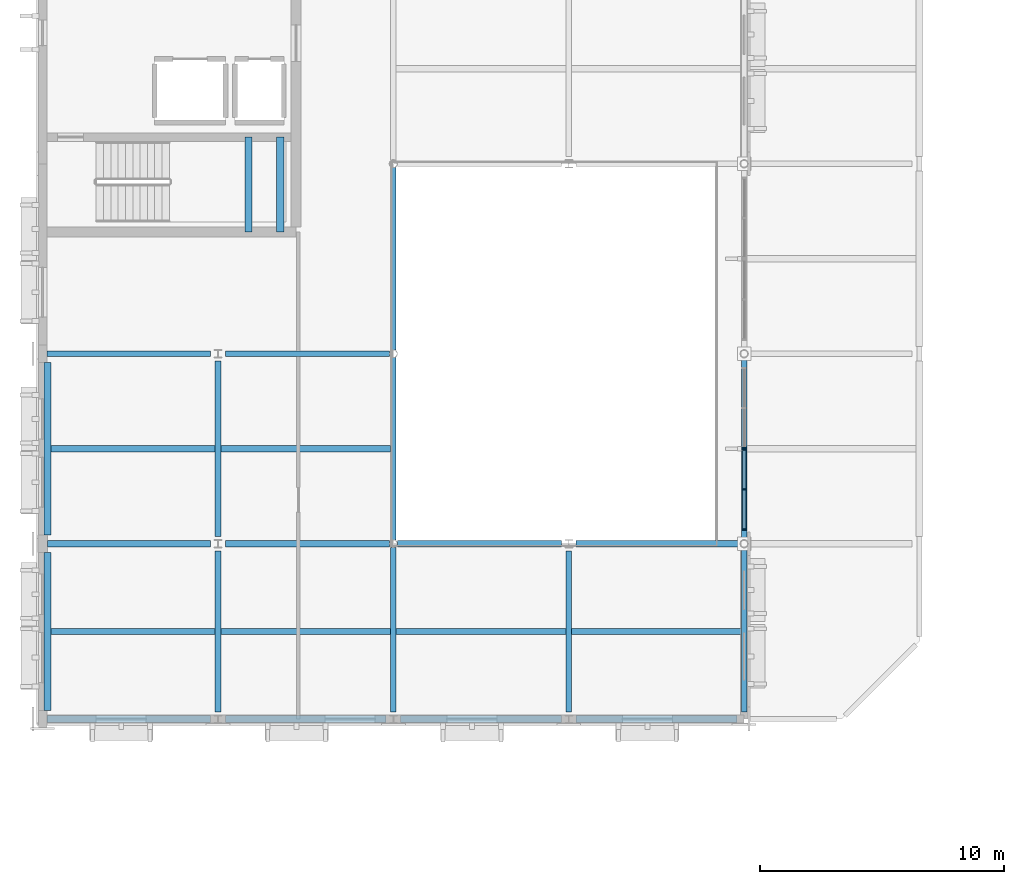
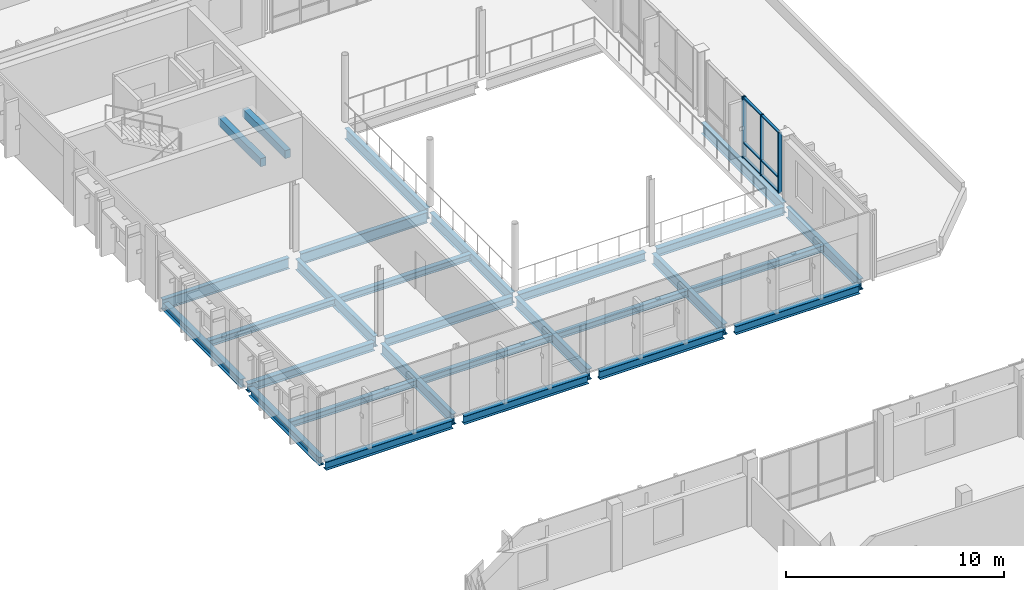
# One storey, part 12 of 73: 28 beams, 10 members, 2 elements without a shape of their own.
"""IFC4 building model written with IfcOpenShell, lengths in metres."""

from ifc_helpers import new_model, si_unit, direction, frame, origin, origin_2d, place, context, subcontext, project, spatial, rectangle, i_section, extrude, material, material_profile, profile_set, type_object, element, aggregate, save


model = new_model("IFC4")

# Units and contexts
model_context = context("Model", 3, precision=1e-05, world=origin(), true_north=direction((0.0, 1.0)))
body_context = subcontext(model_context, "Body", "Model", "MODEL_VIEW")
ifc_project = project(units=[si_unit("LENGTHUNIT", "METRE"), si_unit("AREAUNIT", "SQUARE_METRE"), si_unit("VOLUMEUNIT", "CUBIC_METRE"), si_unit("PLANEANGLEUNIT", "RADIAN"), si_unit("MASSUNIT", "GRAM", prefix="KILO")], contexts=[model_context])

# Site, building, storey
site_placement = place(None, origin())
site = spatial("IfcSite", under=ifc_project, at=site_placement, CompositionType="ELEMENT")
building_placement = place(site_placement, origin())
building = spatial("IfcBuilding", under=site, at=building_placement, Name="Vervanel Yard Central Library", CompositionType="ELEMENT")
storey_placement = place(building_placement, frame((0.0, 0.0, 12.780029296875)))
storey = spatial("IfcBuildingStorey", under=building, at=storey_placement, Name="L03", CompositionType="ELEMENT", Elevation=12.780029296875)

# Beams
ifc_material_1 = material(Name="Concrete C40/50", Category="concrete")
ifc_material_profile_1 = material_profile(ifc_material_1, rectangle(XDim=0.300048828125, YDim=0.449951171875, at=origin_2d()), Name="RC 300x450", Category="concrete")
ifc_profile_set_1 = profile_set([ifc_material_profile_1], Name="Concrete C40/50")
beam_type_1 = type_object("IfcBeamType", Name="Concrete Opening Lintel 300x450", PredefinedType="LINTEL", material=ifc_profile_set_1)
for number, where, z_axis, x_axis, name in (
    (1, (8.449951171875, 56.0, 1.445068359375), (0.0, 1.0, 0.0), (-1.0, 0.0, 0.0), "L03 CORE-C Stair Landing Beam 27"),
    (2, (9.75, 56.0, 1.445068359375), (0.0, 1.0, 0.0), (-1.0, 0.0, 0.0), "L03 CORE-C Stair Landing Beam 28"),
):
    element("IfcBeam", number, at=place(storey_placement, frame(where, z_axis=z_axis, x_axis=x_axis)), inside=storey, type_object=beam_type_1, Name=name, PredefinedType="LINTEL", context=body_context, shape_type="SweptSolid", body=[
        extrude(rectangle(XDim=0.300048828125, YDim=0.449951171875, at=origin_2d()), origin(), (0.0, 0.0, 1.0), 3.89501953125),
    ])

# Curtain wall, members
ifc_material_2 = material(Name="Thermally broken anodized aluminium 6063-T6", Category="aluminium")
curtain_wall_type = type_object("IfcCurtainWallType", Name="Atrium Courtyard Curtain Wall", PredefinedType="NOTDEFINED", material=ifc_material_2)
curtain_wall_1_placement = place(storey_placement, origin())
curtain_wall_1 = element("IfcCurtainWall", 3, at=curtain_wall_1_placement, inside=storey, type_object=curtain_wall_type, Name="L03 Atrium Courtyard Curtain Wall CWR-L03-038", PredefinedType="NOTDEFINED")
ifc_material_profile_2 = material_profile(ifc_material_2, rectangle(XDim=0.06494140625, YDim=0.18994140625, at=origin_2d()), Name="ALU 65x190", Category="aluminium")
ifc_profile_set_2 = profile_set([ifc_material_profile_2], Name="Thermally broken anodized aluminium 6063-T6")
member_type_1 = type_object("IfcMemberType", Name="Curtain Wall Primary Mullion 65x190", PredefinedType="MULLION", material=ifc_profile_set_2)
member_1_placement = place(storey_placement, frame((28.800048828125, 43.79248046875, 0.0), z_axis=(0.0, 0.0, 1.0), x_axis=(0.0, 1.0, 0.0)))
member_1 = element("IfcMember", 4, at=member_1_placement, type_object=member_type_1, Name="CWR-L03-038 Mullion 1", PredefinedType="MULLION", context=body_context, shape_type="SweptSolid", body=[
    extrude(rectangle(XDim=0.06494140625, YDim=0.18994140625, at=origin_2d()), origin(), (0.0, 0.0, 1.0), 3.39990234375),
])
member_2_placement = place(storey_placement, frame((28.800048828125, 45.429931640625, 0.0), z_axis=(0.0, 0.0, 1.0), x_axis=(0.0, 1.0, 0.0)))
member_2 = element("IfcMember", 5, at=member_2_placement, type_object=member_type_1, Name="CWR-L03-038 Mullion 2", PredefinedType="MULLION", context=body_context, shape_type="SweptSolid", body=[
    extrude(rectangle(XDim=0.06494140625, YDim=0.18994140625, at=origin_2d()), origin(), (0.0, 0.0, 1.0), 3.39990234375),
])
member_3_placement = place(storey_placement, frame((28.800048828125, 47.0673828125, 0.0), z_axis=(0.0, 0.0, 1.0), x_axis=(0.0, 1.0, 0.0)))
member_3 = element("IfcMember", 6, at=member_3_placement, type_object=member_type_1, Name="CWR-L03-038 Mullion 3", PredefinedType="MULLION", context=body_context, shape_type="SweptSolid", body=[
    extrude(rectangle(XDim=0.06494140625, YDim=0.18994140625, at=origin_2d()), origin(), (0.0, 0.0, 1.0), 3.39990234375),
])

# Curtain wall, member
curtain_wall_2_placement = place(storey_placement, origin())
curtain_wall_2 = element("IfcCurtainWall", 7, at=curtain_wall_2_placement, inside=storey, type_object=curtain_wall_type, Name="L03 Atrium Courtyard Curtain Wall CWR-L03-039", PredefinedType="NOTDEFINED")
member_4_placement = place(storey_placement, frame((28.800048828125, 47.132568359375, 0.0), z_axis=(0.0, 0.0, 1.0), x_axis=(0.0, 1.0, 0.0)))
member_4 = element("IfcMember", 8, at=member_4_placement, type_object=member_type_1, Name="CWR-L03-039 Mullion 1", PredefinedType="MULLION", context=body_context, shape_type="SweptSolid", body=[
    extrude(rectangle(XDim=0.06494140625, YDim=0.18994140625, at=origin_2d()), origin(), (0.0, 0.0, 1.0), 3.39990234375),
])
aggregate(curtain_wall_2, [member_4])

# Member
ifc_material_profile_3 = material_profile(ifc_material_2, rectangle(XDim=0.06494140625, YDim=0.139892578125, at=origin_2d()), Name="ALU 65x140", Category="aluminium")
ifc_profile_set_3 = profile_set([ifc_material_profile_3], Name="Thermally broken anodized aluminium 6063-T6")
member_type_2 = type_object("IfcMemberType", Name="Curtain Wall Transom 65x140", PredefinedType="NOTDEFINED", material=ifc_profile_set_3)
member_5_placement = place(storey_placement, frame((28.800048828125, 43.824951171875, 0.032470703125), z_axis=(0.0, 1.0, 0.0), x_axis=(0.0, 0.0, 1.0)))
member_5 = element("IfcMember", 9, at=member_5_placement, type_object=member_type_2, Name="CWR-L03-038 Transom B1-T1", ObjectType="TRANSOM", PredefinedType="USERDEFINED", context=body_context, shape_type="SweptSolid", body=[
    extrude(rectangle(XDim=0.06494140625, YDim=0.139892578125, at=origin_2d()), origin(), (0.0, 0.0, 1.0), 1.572509765625),
])

member_6_placement = place(storey_placement, frame((28.800048828125, 43.824951171875, 0.849853515625), z_axis=(0.0, 1.0, 0.0), x_axis=(0.0, 0.0, 1.0)))
member_6 = element("IfcMember", 10, at=member_6_placement, type_object=member_type_2, Name="CWR-L03-038 Transom B1-T2", ObjectType="TRANSOM", PredefinedType="USERDEFINED", context=body_context, shape_type="SweptSolid", body=[
    extrude(rectangle(XDim=0.06494140625, YDim=0.139892578125, at=origin_2d()), origin(), (0.0, 0.0, 1.0), 1.572509765625),
])

member_7_placement = place(storey_placement, frame((28.800048828125, 43.824951171875, 3.367431640625), z_axis=(0.0, 1.0, 0.0), x_axis=(0.0, 0.0, 1.0)))
member_7 = element("IfcMember", 11, at=member_7_placement, type_object=member_type_2, Name="CWR-L03-038 Transom B1-T3", ObjectType="TRANSOM", PredefinedType="USERDEFINED", context=body_context, shape_type="SweptSolid", body=[
    extrude(rectangle(XDim=0.06494140625, YDim=0.139892578125, at=origin_2d()), origin(), (0.0, 0.0, 1.0), 1.572509765625),
])

member_8_placement = place(storey_placement, frame((28.800048828125, 45.46240234375, 0.032470703125), z_axis=(0.0, 1.0, 0.0), x_axis=(0.0, 0.0, 1.0)))
member_8 = element("IfcMember", 12, at=member_8_placement, type_object=member_type_2, Name="CWR-L03-038 Transom B2-T1", ObjectType="TRANSOM", PredefinedType="USERDEFINED", context=body_context, shape_type="SweptSolid", body=[
    extrude(rectangle(XDim=0.06494140625, YDim=0.139892578125, at=origin_2d()), origin(), (0.0, 0.0, 1.0), 1.572509765625),
])

member_9_placement = place(storey_placement, frame((28.800048828125, 45.46240234375, 0.849853515625), z_axis=(0.0, 1.0, 0.0), x_axis=(0.0, 0.0, 1.0)))
member_9 = element("IfcMember", 13, at=member_9_placement, type_object=member_type_2, Name="CWR-L03-038 Transom B2-T2", ObjectType="TRANSOM", PredefinedType="USERDEFINED", context=body_context, shape_type="SweptSolid", body=[
    extrude(rectangle(XDim=0.06494140625, YDim=0.139892578125, at=origin_2d()), origin(), (0.0, 0.0, 1.0), 1.572509765625),
])

member_10_placement = place(storey_placement, frame((28.800048828125, 45.46240234375, 3.367431640625), z_axis=(0.0, 1.0, 0.0), x_axis=(0.0, 0.0, 1.0)))
member_10 = element("IfcMember", 14, at=member_10_placement, type_object=member_type_2, Name="CWR-L03-038 Transom B2-T3", ObjectType="TRANSOM", PredefinedType="USERDEFINED", context=body_context, shape_type="SweptSolid", body=[
    extrude(rectangle(XDim=0.06494140625, YDim=0.139892578125, at=origin_2d()), origin(), (0.0, 0.0, 1.0), 1.572509765625),
])

aggregate(curtain_wall_1, [member_1, member_2, member_3, member_5, member_6, member_7, member_8, member_9, member_10])

# Beams
ifc_material_3 = material(Name="Steel ASTM A992 Grade 50", Category="steel")
ifc_material_profile_4 = material_profile(ifc_material_3, i_section(OverallWidth=0.25390625, OverallDepth=0.355712890625, WebThickness=0.010498046875, FlangeThickness=0.018310546875, at=origin_2d()), Name="W14X68", Category="steel")
ifc_profile_set_4 = profile_set([ifc_material_profile_4], Name="Steel ASTM A992 Grade 50")
beam_type_2 = type_object("IfcBeamType", Name="Steel Atrium Edge Joist W14X68", PredefinedType="JOIST", material=ifc_profile_set_4)
for number, where, z_axis, x_axis, name in (
    (15, (0.341064453125, 39.60009765625, -0.462890625), (1.0, 0.0, 0.0), (0.0, 1.0, 0.0), "L03 Floor Joist SJ-06 Y=39.60 X=0.0-7.2"),
    (16, (0.341064453125, 47.10009765625, -0.462890625), (1.0, 0.0, 0.0), (0.0, 1.0, 0.0), "L03 Floor Joist SJ-06 Y=47.10 X=0.0-7.2"),
):
    element("IfcBeam", number, at=place(storey_placement, frame(where, z_axis=z_axis, x_axis=x_axis)), inside=storey, type_object=beam_type_2, Name=name, PredefinedType="JOIST", context=body_context, shape_type="SweptSolid", body=[
        extrude(i_section(OverallWidth=0.25390625, OverallDepth=0.355712890625, WebThickness=0.010498046875, FlangeThickness=0.018310546875, at=origin_2d()), origin(), (0.0, 0.0, 1.0), 6.744384765625),
    ])
for number, where, z_axis, x_axis, name in (
    (17, (7.314697265625, 39.60009765625, -0.462890625), (1.0, 0.0, 0.0), (0.0, 1.0, 0.0), "L03 Floor Joist SJ-06 Y=39.60 X=7.2-14.4"),
    (18, (7.314697265625, 47.10009765625, -0.462890625), (1.0, 0.0, 0.0), (0.0, 1.0, 0.0), "L03 Floor Joist SJ-06 Y=47.10 X=7.2-14.4"),
    (19, (14.5146484375, 39.60009765625, -0.462890625), (1.0, 0.0, 0.0), (0.0, 1.0, 0.0), "L03 Floor Joist SJ-06 Y=39.60 X=14.4-21.6"),
    (20, (21.714599609375, 39.60009765625, -0.462890625), (1.0, 0.0, 0.0), (0.0, 1.0, 0.0), "L03 Floor Joist SJ-06 Y=39.60 X=21.6-28.8"),
):
    element("IfcBeam", number, at=place(storey_placement, frame(where, z_axis=z_axis, x_axis=x_axis)), inside=storey, type_object=beam_type_2, Name=name, PredefinedType="JOIST", context=body_context, shape_type="SweptSolid", body=[
        extrude(i_section(OverallWidth=0.25390625, OverallDepth=0.355712890625, WebThickness=0.010498046875, FlangeThickness=0.018310546875, at=origin_2d()), origin(), (0.0, 0.0, 1.0), 6.970703125),
    ])
ifc_material_profile_5 = material_profile(ifc_material_3, i_section(OverallWidth=0.22900390625, OverallDepth=0.612060546875, WebThickness=0.011962890625, FlangeThickness=0.01953125, at=origin_2d()), Name="W24X84", Category="steel")
ifc_profile_set_5 = profile_set([ifc_material_profile_5], Name="Steel ASTM A992 Grade 50")
beam_type_3 = type_object("IfcBeamType", Name="Steel Primary Girder W24X84", PredefinedType="BEAM", material=ifc_profile_set_5)
beam_1_placement = place(storey_placement, frame((0.175048828125, 51.0, -0.591064453125), z_axis=(1.0, 0.0, 0.0), x_axis=(0.0, 1.0, 0.0)))
element("IfcBeam", 21, at=beam_1_placement, inside=storey, type_object=beam_type_3, Name="L03 Girder SB-01 Y=51.0 X=0.0-7.2", PredefinedType="BEAM", context=body_context, shape_type="SweptSolid", body=[
    extrude(i_section(OverallWidth=0.22900390625, OverallDepth=0.612060546875, WebThickness=0.011962890625, FlangeThickness=0.01953125, at=origin_2d()), origin(), (0.0, 0.0, 1.0), 6.724853515625),
])
beam_2_placement = place(storey_placement, frame((7.5, 51.0, -0.591064453125), z_axis=(1.0, 0.0, 0.0), x_axis=(0.0, 1.0, 0.0)))
element("IfcBeam", 22, at=beam_2_placement, inside=storey, type_object=beam_type_3, Name="L03 Girder SB-01 Y=51.0 X=7.2-14.4", PredefinedType="BEAM", context=body_context, shape_type="SweptSolid", body=[
    extrude(i_section(OverallWidth=0.22900390625, OverallDepth=0.612060546875, WebThickness=0.011962890625, FlangeThickness=0.01953125, at=origin_2d()), origin(), (0.0, 0.0, 1.0), 6.738037109375),
])
beam_3_placement = place(storey_placement, frame((7.199951171875, 36.300048828125, -0.591064453125), z_axis=(0.0, 1.0, 0.0), x_axis=(-1.0, 0.0, 0.0)))
element("IfcBeam", 23, at=beam_3_placement, inside=storey, type_object=beam_type_3, Name="L03 Girder SB-01 X=7.2 Y=36.0-43.2", PredefinedType="BEAM", context=body_context, shape_type="SweptSolid", body=[
    extrude(i_section(OverallWidth=0.22900390625, OverallDepth=0.612060546875, WebThickness=0.011962890625, FlangeThickness=0.01953125, at=origin_2d()), origin(), (0.0, 0.0, 1.0), 6.599853515625),
])
beam_4_placement = place(storey_placement, frame((7.199951171875, 43.5, -0.591064453125), z_axis=(0.0, 1.0, 0.0), x_axis=(-1.0, 0.0, 0.0)))
element("IfcBeam", 24, at=beam_4_placement, inside=storey, type_object=beam_type_3, Name="L03 Girder SB-01 X=7.2 Y=43.2-51.0", PredefinedType="BEAM", context=body_context, shape_type="SweptSolid", body=[
    extrude(i_section(OverallWidth=0.22900390625, OverallDepth=0.612060546875, WebThickness=0.011962890625, FlangeThickness=0.01953125, at=origin_2d()), origin(), (0.0, 0.0, 1.0), 7.199951171875),
])
beam_5_placement = place(storey_placement, frame((14.39990234375, 36.300048828125, -0.591064453125), z_axis=(0.0, 1.0, 0.0), x_axis=(-1.0, 0.0, 0.0)))
element("IfcBeam", 25, at=beam_5_placement, inside=storey, type_object=beam_type_3, Name="L03 Girder SB-01 X=14.4 Y=36.0-43.2", PredefinedType="BEAM", context=body_context, shape_type="SweptSolid", body=[
    extrude(i_section(OverallWidth=0.22900390625, OverallDepth=0.612060546875, WebThickness=0.011962890625, FlangeThickness=0.01953125, at=origin_2d()), origin(), (0.0, 0.0, 1.0), 6.738037109375),
])
for number, where, z_axis, x_axis, name in (
    (26, (14.39990234375, 43.36181640625, -0.591064453125), (0.0, 1.0, 0.0), (-1.0, 0.0, 0.0), "L03 Girder SB-01 X=14.4 Y=43.2-51.0"),
    (27, (14.39990234375, 51.161865234375, -0.591064453125), (0.0, 1.0, 0.0), (-1.0, 0.0, 0.0), "L03 Girder SB-01 X=14.4 Y=51.0-58.8"),
):
    element("IfcBeam", number, at=place(storey_placement, frame(where, z_axis=z_axis, x_axis=x_axis)), inside=storey, type_object=beam_type_3, Name=name, PredefinedType="BEAM", context=body_context, shape_type="SweptSolid", body=[
        extrude(i_section(OverallWidth=0.22900390625, OverallDepth=0.612060546875, WebThickness=0.011962890625, FlangeThickness=0.01953125, at=origin_2d()), origin(), (0.0, 0.0, 1.0), 7.476318359375),
    ])
beam_6_placement = place(storey_placement, frame((21.60009765625, 36.300048828125, -0.591064453125), z_axis=(0.0, 1.0, 0.0), x_axis=(-1.0, 0.0, 0.0)))
element("IfcBeam", 28, at=beam_6_placement, inside=storey, type_object=beam_type_3, Name="L03 Girder SB-01 X=21.6 Y=36.0-43.2", PredefinedType="BEAM", context=body_context, shape_type="SweptSolid", body=[
    extrude(i_section(OverallWidth=0.22900390625, OverallDepth=0.612060546875, WebThickness=0.011962890625, FlangeThickness=0.01953125, at=origin_2d()), origin(), (0.0, 0.0, 1.0), 6.599853515625),
])
beam_7_placement = place(storey_placement, frame((28.800048828125, 36.300048828125, -0.591064453125), z_axis=(0.0, 1.0, 0.0), x_axis=(-1.0, 0.0, 0.0)))
element("IfcBeam", 29, at=beam_7_placement, inside=storey, type_object=beam_type_3, Name="L03 Girder SB-01 X=28.8 Y=36.0-43.2", PredefinedType="BEAM", context=body_context, shape_type="SweptSolid", body=[
    extrude(i_section(OverallWidth=0.22900390625, OverallDepth=0.612060546875, WebThickness=0.011962890625, FlangeThickness=0.01953125, at=origin_2d()), origin(), (0.0, 0.0, 1.0), 6.738037109375),
])
beam_8_placement = place(storey_placement, frame((28.800048828125, 43.36181640625, -0.591064453125), z_axis=(0.0, 1.0, 0.0), x_axis=(-1.0, 0.0, 0.0)))
element("IfcBeam", 30, at=beam_8_placement, inside=storey, type_object=beam_type_3, Name="L03 Girder SB-01 X=28.8 Y=43.2-51.0", PredefinedType="BEAM", context=body_context, shape_type="SweptSolid", body=[
    extrude(i_section(OverallWidth=0.22900390625, OverallDepth=0.612060546875, WebThickness=0.011962890625, FlangeThickness=0.01953125, at=origin_2d()), origin(), (0.0, 0.0, 1.0), 7.476318359375),
])
ifc_material_profile_6 = material_profile(ifc_material_3, i_section(OverallWidth=0.281982421875, OverallDepth=0.46728515625, WebThickness=0.01220703125, FlangeThickness=0.01953125, at=origin_2d()), Name="W18X86", Category="steel")
ifc_profile_set_6 = profile_set([ifc_material_profile_6], Name="Steel ASTM A992 Grade 50")
beam_type_4 = type_object("IfcBeamType", Name="Steel Spandrel Beam W18X86", PredefinedType="SPANDREL", material=ifc_profile_set_6)
beam_9_placement = place(storey_placement, frame((0.175048828125, 36.0, -0.518798828125), z_axis=(1.0, 0.0, 0.0), x_axis=(0.0, 1.0, 0.0)))
element("IfcBeam", 31, at=beam_9_placement, inside=storey, type_object=beam_type_4, Name="L03 Girder SP-02 Y=36.0 X=0.0-7.2", PredefinedType="SPANDREL", context=body_context, shape_type="SweptSolid", body=[
    extrude(i_section(OverallWidth=0.281982421875, OverallDepth=0.46728515625, WebThickness=0.01220703125, FlangeThickness=0.01953125, at=origin_2d()), origin(), (0.0, 0.0, 1.0), 6.724853515625),
])
for number, where, z_axis, x_axis, name in (
    (32, (7.5, 36.0, -0.518798828125), (1.0, 0.0, 0.0), (0.0, 1.0, 0.0), "L03 Girder SP-02 Y=36.0 X=7.2-14.4"),
    (33, (14.699951171875, 36.0, -0.518798828125), (1.0, 0.0, 0.0), (0.0, 1.0, 0.0), "L03 Girder SP-02 Y=36.0 X=14.4-21.6"),
    (34, (21.89990234375, 36.0, -0.518798828125), (1.0, 0.0, 0.0), (0.0, 1.0, 0.0), "L03 Girder SP-02 Y=36.0 X=21.6-28.8"),
):
    element("IfcBeam", number, at=place(storey_placement, frame(where, z_axis=z_axis, x_axis=x_axis)), inside=storey, type_object=beam_type_4, Name=name, PredefinedType="SPANDREL", context=body_context, shape_type="SweptSolid", body=[
        extrude(i_section(OverallWidth=0.281982421875, OverallDepth=0.46728515625, WebThickness=0.01220703125, FlangeThickness=0.01953125, at=origin_2d()), origin(), (0.0, 0.0, 1.0), 6.60009765625),
    ])
beam_10_placement = place(storey_placement, frame((0.18994140625, 43.199951171875, -0.518798828125), z_axis=(1.0, 0.0, 0.0), x_axis=(0.0, 1.0, 0.0)))
element("IfcBeam", 35, at=beam_10_placement, inside=storey, type_object=beam_type_4, Name="L03 Girder SP-02 Y=43.2 X=0.0-7.2", PredefinedType="SPANDREL", context=body_context, shape_type="SweptSolid", body=[
    extrude(i_section(OverallWidth=0.281982421875, OverallDepth=0.46728515625, WebThickness=0.01220703125, FlangeThickness=0.01953125, at=origin_2d()), origin(), (0.0, 0.0, 1.0), 6.7099609375),
])
for number, where, z_axis, x_axis, name in (
    (36, (7.5, 43.199951171875, -0.518798828125), (1.0, 0.0, 0.0), (0.0, 1.0, 0.0), "L03 Girder SP-02 Y=43.2 X=7.2-14.4"),
    (37, (14.56201171875, 43.199951171875, -0.518798828125), (1.0, 0.0, 0.0), (0.0, 1.0, 0.0), "L03 Girder SP-02 Y=43.2 X=14.4-21.6"),
):
    element("IfcBeam", number, at=place(storey_placement, frame(where, z_axis=z_axis, x_axis=x_axis)), inside=storey, type_object=beam_type_4, Name=name, PredefinedType="SPANDREL", context=body_context, shape_type="SweptSolid", body=[
        extrude(i_section(OverallWidth=0.281982421875, OverallDepth=0.46728515625, WebThickness=0.01220703125, FlangeThickness=0.01953125, at=origin_2d()), origin(), (0.0, 0.0, 1.0), 6.738037109375),
    ])
beam_11_placement = place(storey_placement, frame((21.89990234375, 43.199951171875, -0.518798828125), z_axis=(1.0, 0.0, 0.0), x_axis=(0.0, 1.0, 0.0)))
element("IfcBeam", 38, at=beam_11_placement, inside=storey, type_object=beam_type_4, Name="L03 Girder SP-02 Y=43.2 X=21.6-28.8", PredefinedType="SPANDREL", context=body_context, shape_type="SweptSolid", body=[
    extrude(i_section(OverallWidth=0.281982421875, OverallDepth=0.46728515625, WebThickness=0.01220703125, FlangeThickness=0.01953125, at=origin_2d()), origin(), (0.0, 0.0, 1.0), 6.73828125),
])
beam_12_placement = place(storey_placement, frame((0.199951171875, 36.35009765625, -0.518798828125), z_axis=(0.0, 1.0, 0.0), x_axis=(-1.0, 0.0, 0.0)))
element("IfcBeam", 39, at=beam_12_placement, inside=storey, type_object=beam_type_4, Name="L03 Girder SP-02 X=0.0 Y=36.0-43.2", PredefinedType="SPANDREL", context=body_context, shape_type="SweptSolid", body=[
    extrude(i_section(OverallWidth=0.281982421875, OverallDepth=0.46728515625, WebThickness=0.01220703125, FlangeThickness=0.01953125, at=origin_2d()), origin(), (0.0, 0.0, 1.0), 6.489990234375),
])
beam_13_placement = place(storey_placement, frame((0.199951171875, 43.56005859375, -0.518798828125), z_axis=(0.0, 1.0, 0.0), x_axis=(-1.0, 0.0, 0.0)))
element("IfcBeam", 40, at=beam_13_placement, inside=storey, type_object=beam_type_4, Name="L03 Girder SP-02 X=0.0 Y=43.2-51.0", PredefinedType="SPANDREL", context=body_context, shape_type="SweptSolid", body=[
    extrude(i_section(OverallWidth=0.281982421875, OverallDepth=0.46728515625, WebThickness=0.01220703125, FlangeThickness=0.01953125, at=origin_2d()), origin(), (0.0, 0.0, 1.0), 7.08984375),
])

save(model, "model.ifc")
